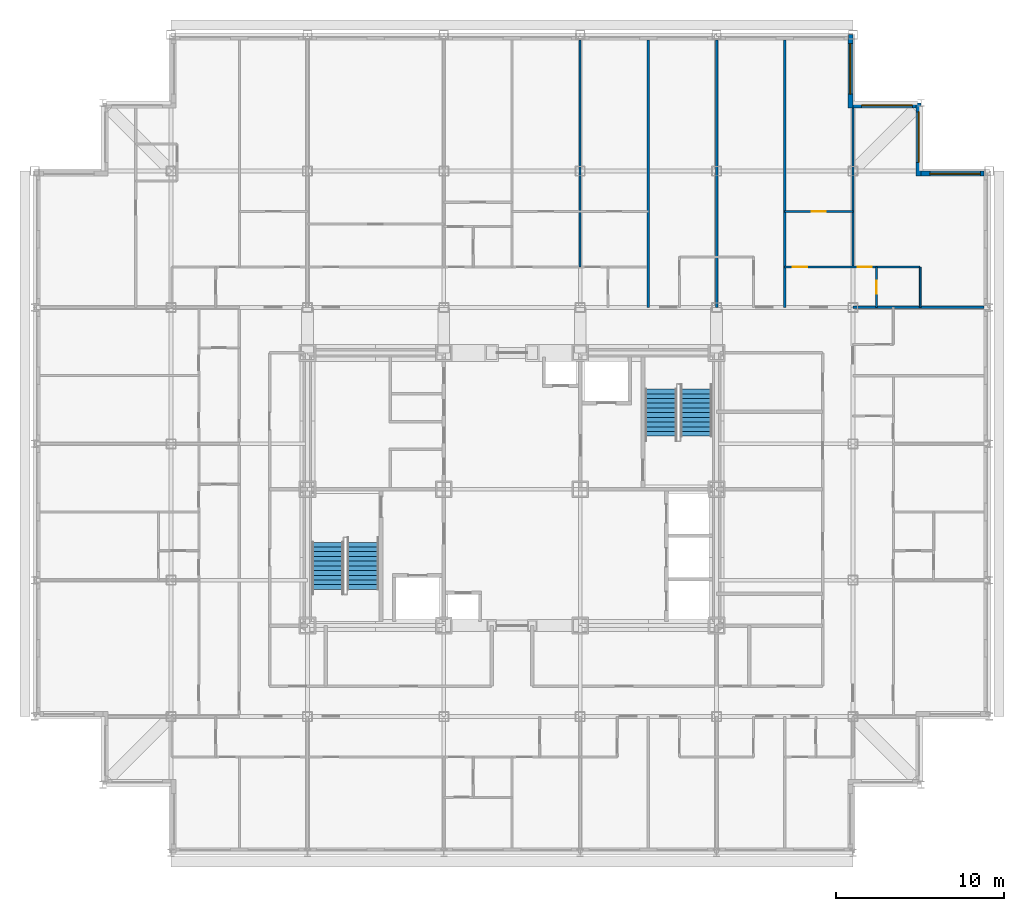
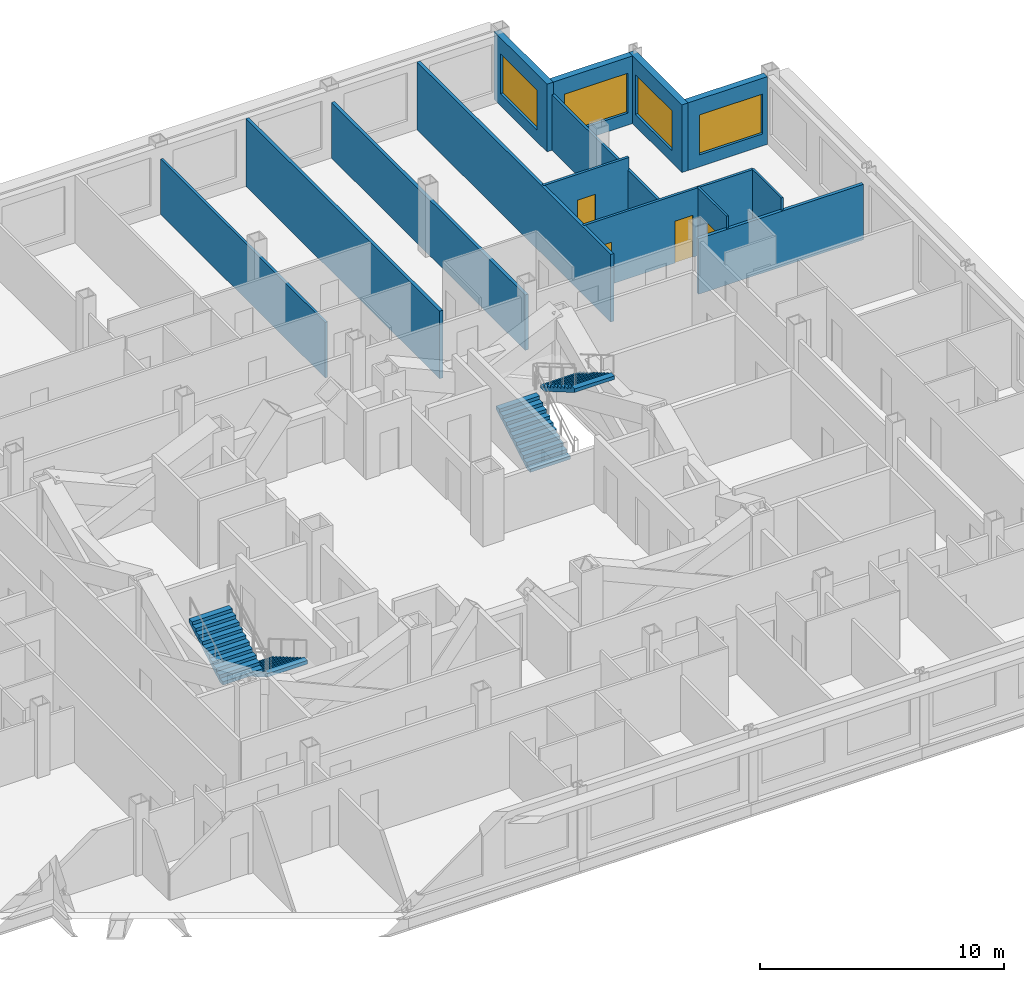
# One storey, part 11 of 12: 14 walls, 4 doors, 4 stair flights, 4 windows, 8 openings, 2 elements without a shape of their own.
"""IFC4 building model written with IfcOpenShell, lengths in metres."""

from ifc_helpers import new_model, si_unit, direction, frame, frame_2d, origin, place, context, subcontext, project, spatial, rectangle, extrude, polygons, source, transform, mapped, material, layer, layer_set, type_object, element, fill, aggregate, save


model = new_model("IFC4")

# Units and contexts
model_context = context("Model", 3, precision=1e-05, world=origin(), true_north=direction((0.0, 1.0)))
body_context = subcontext(model_context, "Body", "Model", "MODEL_VIEW")
ifc_project = project(units=[si_unit("LENGTHUNIT", "METRE"), si_unit("AREAUNIT", "SQUARE_METRE"), si_unit("VOLUMEUNIT", "CUBIC_METRE"), si_unit("PLANEANGLEUNIT", "RADIAN"), si_unit("MASSUNIT", "GRAM", prefix="KILO")], contexts=[model_context])

# Site, building, storey
site_placement = place(None, origin())
site = spatial("IfcSite", under=ifc_project, at=site_placement, CompositionType="ELEMENT")
building_placement = place(site_placement, origin())
building = spatial("IfcBuilding", under=site, at=building_placement, Name="Kopane Lantern Tower", CompositionType="ELEMENT")
storey_placement = place(building_placement, frame((0.0, 0.0, 217.199951171875)))
storey = spatial("IfcBuildingStorey", under=building, at=storey_placement, Name="L56", CompositionType="ELEMENT", Elevation=217.199951171875)

# Wall
ifc_material_1 = material(Name="Gypsum board on steel studs", Category="steel")
ifc_layer_1 = layer(ifc_material_1, 0.1201171875)
ifc_layer_set_1 = layer_set([ifc_layer_1], Name="APARTMENT INTERNAL WALL 120")
wall_type_1 = type_object("IfcWallType", Name="APARTMENT INTERNAL WALL 120", PredefinedType="PARTITIONING", material=ifc_layer_set_1)
wall_1_placement = place(storey_placement, frame((32.39990234375, 45.60009765625, 0.0), z_axis=(0.0, 0.0, 1.0), x_axis=(0.0, 1.0, 0.0)))
element("IfcWall", 1, at=wall_1_placement, inside=storey, type_object=wall_type_1, Name="Apartment Internal Wall 120 L56", PredefinedType="PARTITIONING", context=body_context, shape_type="SweptSolid", body=[
    extrude(rectangle(XDim=13.5, YDim=0.1201171875, at=frame_2d((6.75, 0.0))), origin(), (0.0, 0.0, 1.0), 2.77783203125),
])

# Wall, openings, doors
wall_2_placement = place(storey_placement, frame((44.550048828125, 45.60009765625, 0.0), z_axis=(0.0, 0.0, 1.0), x_axis=(1.0, 0.0, 0.0)))
wall_2 = element("IfcWall", 2, at=wall_2_placement, inside=storey, type_object=wall_type_1, Name="Apartment Internal Wall 120 L56", PredefinedType="PARTITIONING", context=body_context, shape_type="SweptSolid", body=[
    extrude(rectangle(XDim=8.050048828125, YDim=0.1201171875, at=frame_2d((4.02490234375, 0.0))), origin(), (0.0, 0.0, 1.0), 3.39013671875),
])
opening_1_placement = place(wall_2_placement, frame((0.47509765625, 0.0, 0.0)))
opening_1 = element("IfcOpeningElement", 3, at=opening_1_placement, cuts=wall_2, Name="Opening L56-062", PredefinedType="OPENING", context=body_context, shape_type="SweptSolid", body=[
    extrude(rectangle(XDim=0.85009765625, YDim=2.10009765625, at=frame_2d((0.425048828125, 1.050048828125))), frame((0.0, 0.070068359375, 0.0), z_axis=(0.0, -1.0, 0.0), x_axis=(1.0, 0.0, 0.0)), (0.0, 0.0, 1.0), 0.14013671875),
])
opening_2_placement = place(wall_2_placement, frame((4.324951171875, 0.0, 0.0)))
opening_2 = element("IfcOpeningElement", 4, at=opening_2_placement, cuts=wall_2, Name="Opening L56-064", PredefinedType="OPENING", context=body_context, shape_type="SweptSolid", body=[
    extrude(rectangle(XDim=0.85009765625, YDim=2.10009765625, at=frame_2d((0.425048828125, 1.050048828125))), frame((0.0, 0.070068359375, 0.0), z_axis=(0.0, -1.0, 0.0), x_axis=(1.0, 0.0, 0.0)), (0.0, 0.0, 1.0), 0.14013671875),
])
ifc_material_2 = material(Name="Timber door set", Category="wood")
door_type_1 = type_object("IfcDoorType", Name="DOOR D4 850x2100", OperationType="SINGLE_SWING_LEFT", PredefinedType="DOOR", material=ifc_material_2)
door_1_placement = place(opening_1_placement, origin())
door_1 = element("IfcDoor", 5, at=door_1_placement, inside=storey, type_object=door_type_1, Name="Door L56-062", OperationType="SINGLE_SWING_RIGHT", OverallHeight=2.10009765625, OverallWidth=0.85009765625, PredefinedType="DOOR", context=body_context, shape_type="SweptSolid", body=[
    extrude(rectangle(XDim=0.85009765625, YDim=2.10009765625, at=frame_2d((0.425048828125, 1.050048828125))), frame((0.0, 0.02490234375, 0.0), z_axis=(0.0, -1.0, 0.0), x_axis=(1.0, 0.0, 0.0)), (0.0, 0.0, 1.0), 0.050048828125),
])
fill(opening_1, door_1)
door_2_placement = place(opening_2_placement, origin())
door_2 = element("IfcDoor", 6, at=door_2_placement, inside=storey, type_object=door_type_1, Name="Door L56-064", OperationType="SINGLE_SWING_LEFT", OverallHeight=2.10009765625, OverallWidth=0.85009765625, PredefinedType="DOOR", context=body_context, shape_type="SweptSolid", body=[
    extrude(rectangle(XDim=0.85009765625, YDim=2.10009765625, at=frame_2d((0.425048828125, 1.050048828125))), frame((0.0, 0.02490234375, 0.0), z_axis=(0.0, -1.0, 0.0), x_axis=(1.0, 0.0, 0.0)), (0.0, 0.0, 1.0), 0.050048828125),
])
fill(opening_2, door_2)

# Wall
wall_3_placement = place(storey_placement, frame((48.60009765625, 45.60009765625, 0.0), z_axis=(0.0, 0.0, 1.0), x_axis=(0.0, 1.0, 0.0)))
element("IfcWall", 7, at=wall_3_placement, inside=storey, type_object=wall_type_1, Name="Apartment Internal Wall 120 L56", PredefinedType="PARTITIONING", context=body_context, shape_type="SweptSolid", body=[
    extrude(rectangle(XDim=9.449951171875, YDim=0.1201171875, at=frame_2d((4.72509765625, 0.0))), origin(), (0.0, 0.0, 1.0), 2.77783203125),
])

# Wall, opening, door
wall_4_placement = place(storey_placement, frame((44.550048828125, 48.89990234375, 0.0), z_axis=(0.0, 0.0, 1.0), x_axis=(1.0, 0.0, 0.0)))
wall_4 = element("IfcWall", 8, at=wall_4_placement, inside=storey, type_object=wall_type_1, Name="Apartment Internal Wall 120 L56", PredefinedType="PARTITIONING", context=body_context, shape_type="SweptSolid", body=[
    extrude(rectangle(XDim=4.050048828125, YDim=0.1201171875, at=frame_2d((2.02490234375, 0.0))), origin(), (0.0, 0.0, 1.0), 3.39013671875),
])
opening_3_placement = place(wall_4_placement, frame((1.60009765625, 0.0, 0.0)))
opening_3 = element("IfcOpeningElement", 9, at=opening_3_placement, cuts=wall_4, Name="Opening L56-077", PredefinedType="OPENING", context=body_context, shape_type="SweptSolid", body=[
    extrude(rectangle(XDim=0.85009765625, YDim=2.10009765625, at=frame_2d((0.425048828125, 1.050048828125))), frame((0.0, 0.070068359375, 0.0), z_axis=(0.0, -1.0, 0.0), x_axis=(1.0, 0.0, 0.0)), (0.0, 0.0, 1.0), 0.14013671875),
])
door_3_placement = place(opening_3_placement, origin())
door_3 = element("IfcDoor", 10, at=door_3_placement, inside=storey, type_object=door_type_1, Name="Door L56-077", OperationType="SINGLE_SWING_RIGHT", OverallHeight=2.10009765625, OverallWidth=0.85009765625, PredefinedType="DOOR", context=body_context, shape_type="SweptSolid", body=[
    extrude(rectangle(XDim=0.85009765625, YDim=2.10009765625, at=frame_2d((0.425048828125, 1.050048828125))), frame((0.0, 0.02490234375, 0.0), z_axis=(0.0, -1.0, 0.0), x_axis=(1.0, 0.0, 0.0)), (0.0, 0.0, 1.0), 0.050048828125),
])
fill(opening_3, door_3)

ifc_material_3 = material(Name="Moisture-resistant board on steel studs", Category="steel")
ifc_layer_2 = layer(ifc_material_3, 0.10009765625)
ifc_layer_set_2 = layer_set([ifc_layer_2], Name="BATHROOM WALL 100")
wall_type_2 = type_object("IfcWallType", Name="BATHROOM WALL 100", PredefinedType="PARTITIONING", material=ifc_layer_set_2)
wall_5_placement = place(storey_placement, frame((50.0, 43.199951171875, 0.0), z_axis=(0.0, 0.0, 1.0), x_axis=(0.0, 1.0, 0.0)))
wall_5 = element("IfcWall", 11, at=wall_5_placement, inside=storey, type_object=wall_type_2, Name="Bathroom Wall 100 L56", PredefinedType="PARTITIONING", context=body_context, shape_type="SweptSolid", body=[
    extrude(rectangle(XDim=2.400146484375, YDim=0.10009765625, at=frame_2d((1.2001953125, 0.0))), origin(), (0.0, 0.0, 1.0), 3.39013671875),
])
opening_4_placement = place(wall_5_placement, frame((0.800048828125, 0.0, 0.0)))
opening_4 = element("IfcOpeningElement", 12, at=opening_4_placement, cuts=wall_5, Name="Opening L56-063", PredefinedType="OPENING", context=body_context, shape_type="SweptSolid", body=[
    extrude(rectangle(XDim=0.800048828125, YDim=2.10009765625, at=frame_2d((0.39990234375, 1.050048828125))), frame((0.0, 0.06005859375, 0.0), z_axis=(0.0, -1.0, 0.0), x_axis=(1.0, 0.0, 0.0)), (0.0, 0.0, 1.0), 0.1201171875),
])
ifc_material_4 = material(Name="Timber door set", Category="wood")
door_type_2 = type_object("IfcDoorType", Name="DOOR D2 800x2100", OperationType="SINGLE_SWING_LEFT", PredefinedType="DOOR", material=ifc_material_4)
door_4_placement = place(opening_4_placement, origin())
door_4 = element("IfcDoor", 13, at=door_4_placement, inside=storey, type_object=door_type_2, Name="Door L56-063", OperationType="SINGLE_SWING_RIGHT", OverallHeight=2.10009765625, OverallWidth=0.800048828125, PredefinedType="DOOR", context=body_context, shape_type="SweptSolid", body=[
    extrude(rectangle(XDim=0.800048828125, YDim=2.10009765625, at=frame_2d((0.39990234375, 1.050048828125))), frame((0.0, 0.02490234375, 0.0), z_axis=(0.0, -1.0, 0.0), x_axis=(1.0, 0.0, 0.0)), (0.0, 0.0, 1.0), 0.050048828125),
])
fill(opening_4, door_4)

# Walls
wall_6_placement = place(storey_placement, frame((52.60009765625, 43.199951171875, 0.0), z_axis=(0.0, 0.0, 1.0), x_axis=(0.0, 1.0, 0.0)))
element("IfcWall", 14, at=wall_6_placement, inside=storey, type_object=wall_type_2, Name="Bathroom Wall 100 L56", PredefinedType="PARTITIONING", context=body_context, shape_type="SweptSolid", body=[
    extrude(rectangle(XDim=2.400146484375, YDim=0.10009765625, at=frame_2d((1.2001953125, 0.0))), origin(), (0.0, 0.0, 1.0), 3.39013671875),
])
ifc_material_5 = material(Name="Gypsum board on steel studs", Category="steel")
ifc_layer_3 = layer(ifc_material_5, 0.14990234375)
ifc_layer_set_3 = layer_set([ifc_layer_3], Name="DEMISING WALL 150 EI 60")
wall_type_3 = type_object("IfcWallType", Name="DEMISING WALL 150 EI 60", PredefinedType="PARTITIONING", material=ifc_layer_set_3)
wall_7_placement = place(storey_placement, frame((36.449951171875, 43.199951171875, 0.0), z_axis=(0.0, 0.0, 1.0), x_axis=(0.0, 1.0, 0.0)))
element("IfcWall", 15, at=wall_7_placement, inside=storey, type_object=wall_type_3, Name="Demising Wall 150 Ei 60 L56", PredefinedType="PARTITIONING", context=body_context, shape_type="SweptSolid", body=[
    extrude(rectangle(XDim=15.900146484375, YDim=0.14990234375, at=frame_2d((7.9501953125, 0.0))), origin(), (0.0, 0.0, 1.0), 3.39013671875),
])
wall_8_placement = place(storey_placement, frame((40.5, 43.199951171875, 0.0), z_axis=(0.0, 0.0, 1.0), x_axis=(0.0, 1.0, 0.0)))
element("IfcWall", 16, at=wall_8_placement, inside=storey, type_object=wall_type_3, Name="Demising Wall 150 Ei 60 L56", PredefinedType="PARTITIONING", context=body_context, shape_type="SweptSolid", body=[
    extrude(rectangle(XDim=15.900146484375, YDim=0.14990234375, at=frame_2d((7.9501953125, 0.0))), origin(), (0.0, 0.0, 1.0), 2.77783203125),
])
wall_9_placement = place(storey_placement, frame((48.60009765625, 43.199951171875, 0.0), z_axis=(0.0, 0.0, 1.0), x_axis=(1.0, 0.0, 0.0)))
element("IfcWall", 17, at=wall_9_placement, inside=storey, type_object=wall_type_3, Name="Demising Wall 150 Ei 60 L56", PredefinedType="PARTITIONING", context=body_context, shape_type="SweptSolid", body=[
    extrude(rectangle(XDim=7.7998046875, YDim=0.14990234375, at=frame_2d((3.89990234375, 0.0))), origin(), (0.0, 0.0, 1.0), 2.77783203125),
])
wall_10_placement = place(storey_placement, frame((44.550048828125, 43.199951171875, 0.0), z_axis=(0.0, 0.0, 1.0), x_axis=(0.0, 1.0, 0.0)))
element("IfcWall", 18, at=wall_10_placement, inside=storey, type_object=wall_type_3, Name="Demising Wall 150 Ei 60 L56", PredefinedType="PARTITIONING", context=body_context, shape_type="SweptSolid", body=[
    extrude(rectangle(XDim=15.900146484375, YDim=0.14990234375, at=frame_2d((7.9501953125, 0.0))), origin(), (0.0, 0.0, 1.0), 3.39013671875),
])

# Wall, opening, window
ifc_material_6 = material(Name="Terracotta rainscreen on light steel framing", Category="masonry")
ifc_layer_4 = layer(ifc_material_6, 0.300048828125)
ifc_layer_set_4 = layer_set([ifc_layer_4], Name="EXTERNAL WALL EW1 300 TERRACOTTA")
wall_type_4 = type_object("IfcWallType", Name="EXTERNAL WALL EW1 300 TERRACOTTA", PredefinedType="SOLIDWALL", material=ifc_layer_set_4)
wall_11_placement = place(storey_placement, frame((56.39990234375, 51.14990234375, 0.0), z_axis=(0.0, 0.0, 1.0), x_axis=(-1.0, 0.0, 0.0)))
wall_11 = element("IfcWall", 19, at=wall_11_placement, inside=storey, type_object=wall_type_4, Name="External wall N L56", PredefinedType="SOLIDWALL", context=body_context, shape_type="SweptSolid", body=[
    extrude(rectangle(XDim=3.75, YDim=0.300048828125, at=frame_2d((1.875, 0.0))), origin(), (0.0, 0.0, 1.0), 3.39013671875),
])
opening_5_placement = place(wall_11_placement, frame((0.22509765625, 0.0, 0.60009765625)))
opening_5 = element("IfcOpeningElement", 20, at=opening_5_placement, cuts=wall_11, Name="Opening WR300200", PredefinedType="OPENING", context=body_context, shape_type="SweptSolid", body=[
    extrude(rectangle(XDim=3.0, YDim=2.0, at=frame_2d((1.5, 1.0))), frame((0.0, 0.159912109375, 0.0), z_axis=(0.0, -1.0, 0.0), x_axis=(1.0, 0.0, 0.0)), (0.0, 0.0, 1.0), 0.320068359375),
])
ifc_material_7 = material(Name="Aluminium and clear glass", Category="aluminium")
window_type = type_object("IfcWindowType", Name="RIBBON WINDOW WR300200 3000x2000", PartitioningType="SINGLE_PANEL", PredefinedType="WINDOW", material=ifc_material_7)
window_1_placement = place(opening_5_placement, origin())
window_1 = element("IfcWindow", 21, at=window_1_placement, inside=storey, type_object=window_type, Name="Window N L56", OverallHeight=2.0, OverallWidth=3.0, PartitioningType="SINGLE_PANEL", PredefinedType="WINDOW", context=body_context, shape_type="SweptSolid", body=[
    extrude(rectangle(XDim=3.0, YDim=2.0, at=frame_2d((1.5, 1.0))), frame((0.0, 0.030029296875, 0.0), z_axis=(0.0, -1.0, 0.0), x_axis=(1.0, 0.0, 0.0)), (0.0, 0.0, 1.0), 0.06005859375),
])
fill(opening_5, window_1)

wall_12_placement = place(storey_placement, frame((52.5, 51.0, 0.0), z_axis=(0.0, 0.0, 1.0), x_axis=(0.0, 1.0, 0.0)))
wall_12 = element("IfcWall", 22, at=wall_12_placement, inside=storey, type_object=wall_type_4, Name="External wall E L56", PredefinedType="SOLIDWALL", context=body_context, shape_type="SweptSolid", body=[
    extrude(rectangle(XDim=4.35009765625, YDim=0.300048828125, at=frame_2d((2.175048828125, 0.0))), origin(), (0.0, 0.0, 1.0), 3.39013671875),
])
opening_6_placement = place(wall_12_placement, frame((0.824951171875, 0.0, 0.60009765625)))
opening_6 = element("IfcOpeningElement", 23, at=opening_6_placement, cuts=wall_12, Name="Opening WR300200", PredefinedType="OPENING", context=body_context, shape_type="SweptSolid", body=[
    extrude(rectangle(XDim=3.0, YDim=2.0, at=frame_2d((1.5, 1.0))), frame((0.0, 0.159912109375, 0.0), z_axis=(0.0, -1.0, 0.0), x_axis=(1.0, 0.0, 0.0)), (0.0, 0.0, 1.0), 0.320068359375),
])
window_2_placement = place(opening_6_placement, origin())
window_2 = element("IfcWindow", 24, at=window_2_placement, inside=storey, type_object=window_type, Name="Window E L56", OverallHeight=2.0, OverallWidth=3.0, PartitioningType="SINGLE_PANEL", PredefinedType="WINDOW", context=body_context, shape_type="SweptSolid", body=[
    extrude(rectangle(XDim=3.0, YDim=2.0, at=frame_2d((1.5, 1.0))), frame((0.0, 0.030029296875, 0.0), z_axis=(0.0, -1.0, 0.0), x_axis=(1.0, 0.0, 0.0)), (0.0, 0.0, 1.0), 0.06005859375),
])
fill(opening_6, window_2)

wall_13_placement = place(storey_placement, frame((52.35009765625, 55.199951171875, 0.0), z_axis=(0.0, 0.0, 1.0), x_axis=(-1.0, 0.0, 0.0)))
wall_13 = element("IfcWall", 25, at=wall_13_placement, inside=storey, type_object=wall_type_4, Name="External wall N L56", PredefinedType="SOLIDWALL", context=body_context, shape_type="SweptSolid", body=[
    extrude(rectangle(XDim=3.75, YDim=0.300048828125, at=frame_2d((1.875, 0.0))), origin(), (0.0, 0.0, 1.0), 3.39013671875),
])
opening_7_placement = place(wall_13_placement, frame((0.22509765625, 0.0, 0.60009765625)))
opening_7 = element("IfcOpeningElement", 26, at=opening_7_placement, cuts=wall_13, Name="Opening WR300200", PredefinedType="OPENING", context=body_context, shape_type="SweptSolid", body=[
    extrude(rectangle(XDim=3.0, YDim=2.0, at=frame_2d((1.5, 1.0))), frame((0.0, 0.159912109375, 0.0), z_axis=(0.0, -1.0, 0.0), x_axis=(1.0, 0.0, 0.0)), (0.0, 0.0, 1.0), 0.320068359375),
])
window_3_placement = place(opening_7_placement, origin())
window_3 = element("IfcWindow", 27, at=window_3_placement, inside=storey, type_object=window_type, Name="Window N L56", OverallHeight=2.0, OverallWidth=3.0, PartitioningType="SINGLE_PANEL", PredefinedType="WINDOW", context=body_context, shape_type="SweptSolid", body=[
    extrude(rectangle(XDim=3.0, YDim=2.0, at=frame_2d((1.5, 1.0))), frame((0.0, 0.030029296875, 0.0), z_axis=(0.0, -1.0, 0.0), x_axis=(1.0, 0.0, 0.0)), (0.0, 0.0, 1.0), 0.06005859375),
])
fill(opening_7, window_3)

wall_14_placement = place(storey_placement, frame((48.449951171875, 55.050048828125, 0.0), z_axis=(0.0, 0.0, 1.0), x_axis=(0.0, 1.0, 0.0)))
wall_14 = element("IfcWall", 28, at=wall_14_placement, inside=storey, type_object=wall_type_4, Name="External wall E L56", PredefinedType="SOLIDWALL", context=body_context, shape_type="SweptSolid", body=[
    extrude(rectangle(XDim=4.349853515625, YDim=0.300048828125, at=frame_2d((2.1748046875, 0.0))), origin(), (0.0, 0.0, 1.0), 3.39013671875),
])
opening_8_placement = place(wall_14_placement, frame((0.824951171875, 0.0, 0.60009765625)))
opening_8 = element("IfcOpeningElement", 29, at=opening_8_placement, cuts=wall_14, Name="Opening WR300200", PredefinedType="OPENING", context=body_context, shape_type="SweptSolid", body=[
    extrude(rectangle(XDim=3.0, YDim=2.0, at=frame_2d((1.5, 1.0))), frame((0.0, 0.159912109375, 0.0), z_axis=(0.0, -1.0, 0.0), x_axis=(1.0, 0.0, 0.0)), (0.0, 0.0, 1.0), 0.320068359375),
])
window_4_placement = place(opening_8_placement, origin())
window_4 = element("IfcWindow", 30, at=window_4_placement, inside=storey, type_object=window_type, Name="Window E L56", OverallHeight=2.0, OverallWidth=3.0, PartitioningType="SINGLE_PANEL", PredefinedType="WINDOW", context=body_context, shape_type="SweptSolid", body=[
    extrude(rectangle(XDim=3.0, YDim=2.0, at=frame_2d((1.5, 1.0))), frame((0.0, 0.030029296875, 0.0), z_axis=(0.0, -1.0, 0.0), x_axis=(1.0, 0.0, 0.0)), (0.0, 0.0, 1.0), 0.06005859375),
])
fill(opening_8, window_4)

# Stair, stair flights
ifc_material_8 = material(Name="Steel S355JR", Category="steel")
stair_type = type_object("IfcStairType", Name="EXIT STAIR 1900 HALF TURN", PredefinedType="HALF_TURN_STAIR", material=ifc_material_8)
stair_1_placement = place(storey_placement, origin())
stair_1 = element("IfcStair", 31, at=stair_1_placement, inside=storey, type_object=stair_type, Name="Exit stair ST1 L56", PredefinedType="HALF_TURN_STAIR")
ifc_material_9 = material(Name="Steel S355JR", Category="steel")
stair_flight_type = type_object("IfcStairFlightType", Name="STAIR FLIGHT 1900 STEEL", PredefinedType="STRAIGHT", material=ifc_material_9)
shared_shape = source(origin(), body_context, "Body", "Tessellation", [
    polygons([(2.800048828, 0.949951172, 1.636474609), (2.520019531, 0.949951172, 1.636474609), (2.520019531, -0.949951172, 1.636474609), (2.800048828, -0.949951172, 1.636474609), (0.297119141, 0.949951172, 0.0), (2.800048828, 0.949951172, 1.462646484), (2.800048828, -0.949951172, 1.462646484), (0.297119141, -0.949951172, 0.0), (0.0, 0.949951172, 0.0), (0.0, -0.949951172, 0.0), (0.280029297, 0.949951172, 0.163574219), (0.0, 0.949951172, 0.163574219), (0.0, -0.949951172, 0.163574219), (0.280029297, -0.949951172, 0.163574219), (0.280029297, 0.949951172, 0.327392578), (0.280029297, -0.949951172, 0.327392578), (0.560058594, 0.949951172, 0.327392578), (0.560058594, -0.949951172, 0.327392578), (0.560058594, 0.949951172, 0.490966797), (0.560058594, -0.949951172, 0.490966797), (0.840087891, 0.949951172, 0.490966797), (0.840087891, -0.949951172, 0.490966797), (0.840087891, 0.949951172, 0.654541016), (0.840087891, -0.949951172, 0.654541016), (1.120117188, 0.949951172, 0.654541016), (1.120117188, -0.949951172, 0.654541016), (1.120117188, 0.949951172, 0.818115234), (1.120117188, -0.949951172, 0.818115234), (1.399902344, 0.949951172, 0.818115234), (1.399902344, -0.949951172, 0.818115234), (1.399902344, 0.949951172, 0.981933594), (1.399902344, -0.949951172, 0.981933594), (1.679931641, 0.949951172, 0.981933594), (1.679931641, -0.949951172, 0.981933594), (1.679931641, 0.949951172, 1.145507812), (1.679931641, -0.949951172, 1.145507812), (1.959960938, 0.949951172, 1.145507812), (1.959960938, -0.949951172, 1.145507812), (1.959960938, 0.949951172, 1.309082031), (1.959960938, -0.949951172, 1.309082031), (2.239990234, 0.949951172, 1.309082031), (2.239990234, -0.949951172, 1.309082031), (2.239990234, 0.949951172, 1.47265625), (2.239990234, -0.949951172, 1.47265625), (2.520019531, 0.949951172, 1.47265625), (2.520019531, -0.949951172, 1.47265625), (0.0, 0.0, 0.004420925), (0.0, 0.0, 0.00884185), (0.0, 0.0, 0.013262774), (0.0, 0.0, 0.017683699), (0.0, 0.0, 0.022104624), (0.0, 0.0, 0.026525549), (0.0, 0.0, 0.030946474), (0.0, 0.0, 0.035367399), (0.0, 0.0, 0.039788323), (0.0, 0.0, 0.044209248), (0.0, 0.0, 0.048630173), (0.0, 0.0, 0.053051098), (0.0, 0.0, 0.057472023), (0.0, 0.0, 0.061892948), (0.0, 0.0, 0.066313872), (0.0, 0.0, 0.070734797), (0.0, 0.0, 0.075155722), (0.0, 0.0, 0.079576647), (0.0, 0.0, 0.083997572), (0.0, 0.0, 0.088418497), (0.0, 0.0, 0.092839421), (0.0, 0.0, 0.097260346), (0.0, 0.0, 0.101681271), (0.0, 0.0, 0.106102196), (0.0, 0.0, 0.110523121), (0.0, 0.0, 0.114944046), (0.0, 0.0, 0.11936497), (0.0, 0.0, 0.123785895), (0.0, 0.0, 0.12820682), (0.0, 0.0, 0.132627745), (0.0, 0.0, 0.13704867), (0.0, 0.0, 0.141469595), (0.0, 0.0, 0.145890519), (0.0, 0.0, 0.150311444), (0.0, 0.0, 0.154732369), (0.0, 0.0, 0.159153294), (2.800048828, 0.0, 1.467344542), (2.800048828, 0.0, 1.472042599), (2.800048828, 0.0, 1.476740657), (2.800048828, 0.0, 1.481438714), (2.800048828, 0.0, 1.486136772), (2.800048828, 0.0, 1.490834829), (2.800048828, 0.0, 1.495532886), (2.800048828, 0.0, 1.500230944), (2.800048828, 0.0, 1.504929001), (2.800048828, 0.0, 1.509627059), (2.800048828, 0.0, 1.514325116), (2.800048828, 0.0, 1.519023174), (2.800048828, 0.0, 1.523721231), (2.800048828, 0.0, 1.528419288), (2.800048828, 0.0, 1.533117346), (2.800048828, 0.0, 1.537815403), (2.800048828, 0.0, 1.542513461), (2.800048828, 0.0, 1.547211518), (2.800048828, 0.0, 1.551909576), (2.800048828, 0.0, 1.556607633), (2.800048828, 0.0, 1.56130569), (2.800048828, 0.0, 1.566003748), (2.800048828, 0.0, 1.570701805), (2.800048828, 0.0, 1.575399863), (2.800048828, 0.0, 1.58009792), (2.800048828, 0.0, 1.584795978), (2.800048828, 0.0, 1.589494035), (2.800048828, 0.0, 1.594192092), (2.800048828, 0.0, 1.59889015), (2.800048828, 0.0, 1.603588207), (2.800048828, 0.0, 1.608286265), (2.800048828, 0.0, 1.612984322), (2.800048828, 0.0, 1.61768238), (2.800048828, 0.0, 1.622380437), (2.800048828, 0.0, 1.627078495), (2.800048828, 0.0, 1.631776552)], [[[1, 2, 3]], [[1, 3, 4]], [[5, 6, 7]], [[5, 7, 8]], [[9, 5, 8]], [[9, 8, 10]], [[11, 12, 13]], [[11, 13, 14]], [[15, 11, 14]], [[15, 14, 16]], [[17, 15, 16]], [[17, 16, 18]], [[19, 17, 18]], [[19, 18, 20]], [[21, 19, 20]], [[21, 20, 22]], [[23, 21, 22]], [[23, 22, 24]], [[25, 23, 24]], [[25, 24, 26]], [[27, 25, 26]], [[27, 26, 28]], [[29, 27, 28]], [[29, 28, 30]], [[31, 29, 30]], [[31, 30, 32]], [[33, 31, 32]], [[33, 32, 34]], [[35, 33, 34]], [[35, 34, 36]], [[37, 35, 36]], [[37, 36, 38]], [[39, 37, 38]], [[39, 38, 40]], [[41, 39, 40]], [[41, 40, 42]], [[43, 41, 42]], [[43, 42, 44]], [[45, 43, 44]], [[45, 44, 46]], [[2, 45, 46]], [[2, 46, 3]], [[45, 1, 6]], [[41, 45, 6]], [[2, 1, 45]], [[37, 41, 6]], [[43, 45, 41]], [[39, 41, 37]], [[35, 37, 33]], [[31, 33, 29]], [[27, 29, 25]], [[5, 21, 25]], [[17, 21, 5]], [[23, 25, 21]], [[11, 17, 5]], [[19, 21, 17]], [[9, 11, 5]], [[15, 17, 11]], [[12, 11, 9]], [[6, 5, 25]], [[6, 25, 29]], [[6, 29, 33]], [[6, 33, 37]], [[7, 4, 46]], [[7, 46, 42]], [[46, 4, 3]], [[7, 42, 38]], [[42, 46, 44]], [[38, 42, 40]], [[34, 38, 36]], [[30, 34, 32]], [[26, 30, 28]], [[26, 22, 8]], [[8, 22, 18]], [[22, 26, 24]], [[8, 18, 14]], [[18, 22, 20]], [[8, 14, 10]], [[14, 18, 16]], [[10, 14, 13]], [[26, 8, 7]], [[30, 26, 7]], [[34, 30, 7]], [[38, 34, 7]], [[10, 47, 9]], [[10, 48, 47]], [[9, 47, 48]], [[10, 49, 48]], [[9, 48, 49]], [[10, 50, 49]], [[9, 49, 50]], [[10, 51, 50]], [[9, 50, 51]], [[10, 52, 51]], [[9, 51, 52]], [[10, 53, 52]], [[9, 52, 53]], [[10, 54, 53]], [[9, 53, 54]], [[10, 55, 54]], [[9, 54, 55]], [[10, 56, 55]], [[9, 55, 56]], [[10, 57, 56]], [[9, 56, 57]], [[10, 58, 57]], [[9, 57, 58]], [[10, 59, 58]], [[9, 58, 59]], [[10, 60, 59]], [[9, 59, 60]], [[10, 61, 60]], [[9, 60, 61]], [[10, 62, 61]], [[9, 61, 62]], [[10, 63, 62]], [[9, 62, 63]], [[10, 64, 63]], [[9, 63, 64]], [[10, 65, 64]], [[9, 64, 65]], [[10, 66, 65]], [[9, 65, 66]], [[10, 67, 66]], [[9, 66, 67]], [[10, 68, 67]], [[9, 67, 68]], [[10, 69, 68]], [[9, 68, 69]], [[10, 70, 69]], [[9, 69, 70]], [[10, 71, 70]], [[9, 70, 71]], [[10, 72, 71]], [[9, 71, 72]], [[10, 73, 72]], [[9, 72, 73]], [[10, 74, 73]], [[9, 73, 74]], [[10, 75, 74]], [[9, 74, 75]], [[10, 76, 75]], [[9, 75, 76]], [[10, 77, 76]], [[9, 76, 77]], [[10, 78, 77]], [[9, 77, 78]], [[10, 79, 78]], [[9, 78, 79]], [[10, 80, 79]], [[9, 79, 80]], [[10, 81, 80]], [[9, 80, 81]], [[10, 82, 81]], [[9, 81, 82]], [[10, 13, 82]], [[82, 13, 12]], [[9, 82, 12]], [[7, 6, 83]], [[7, 83, 84]], [[6, 84, 83]], [[7, 84, 85]], [[6, 85, 84]], [[7, 85, 86]], [[6, 86, 85]], [[7, 86, 87]], [[6, 87, 86]], [[7, 87, 88]], [[6, 88, 87]], [[7, 88, 89]], [[6, 89, 88]], [[7, 89, 90]], [[6, 90, 89]], [[7, 90, 91]], [[6, 91, 90]], [[7, 91, 92]], [[6, 92, 91]], [[7, 92, 93]], [[6, 93, 92]], [[7, 93, 94]], [[6, 94, 93]], [[7, 94, 95]], [[6, 95, 94]], [[7, 95, 96]], [[6, 96, 95]], [[7, 96, 97]], [[6, 97, 96]], [[7, 97, 98]], [[6, 98, 97]], [[7, 98, 99]], [[6, 99, 98]], [[7, 99, 100]], [[6, 100, 99]], [[7, 100, 101]], [[6, 101, 100]], [[7, 101, 102]], [[6, 102, 101]], [[7, 102, 103]], [[6, 103, 102]], [[7, 103, 104]], [[6, 104, 103]], [[7, 104, 105]], [[6, 105, 104]], [[7, 105, 106]], [[6, 106, 105]], [[7, 106, 107]], [[6, 107, 106]], [[7, 107, 108]], [[6, 108, 107]], [[7, 108, 109]], [[6, 109, 108]], [[7, 109, 110]], [[6, 110, 109]], [[7, 110, 111]], [[6, 111, 110]], [[7, 111, 112]], [[6, 112, 111]], [[7, 112, 113]], [[6, 113, 112]], [[7, 113, 114]], [[6, 114, 113]], [[7, 114, 115]], [[6, 115, 114]], [[7, 115, 116]], [[6, 116, 115]], [[7, 116, 117]], [[6, 117, 116]], [[7, 117, 118]], [[6, 118, 117]], [[7, 118, 4]], [[118, 1, 4]], [[6, 1, 118]]], closed=True),
])
stair_flight_1_placement = place(storey_placement, frame((19.5, 29.25, 0.0), z_axis=(0.0, 0.0, 1.0), x_axis=(0.0, -1.0, 0.0)))
stair_flight_1 = element("IfcStairFlight", 32, at=stair_flight_1_placement, type_object=stair_flight_type, Name="ST1 flight 1", NumberOfRisers=11, NumberOfTreads=10, PredefinedType="STRAIGHT", RiserHeight=0.163636364, TreadLength=0.28, context=body_context, shape_type="MappedRepresentation", body=[
    mapped(shared_shape, transform((0.0, 0.0, 0.0))),
])
stair_flight_2_placement = place(storey_placement, frame((17.39990234375, 26.449951171875, 1.800048828125), z_axis=(0.0, 0.0, 1.0), x_axis=(0.0, 1.0, 0.0)))
stair_flight_2 = element("IfcStairFlight", 33, at=stair_flight_2_placement, type_object=stair_flight_type, Name="ST1 flight 2", NumberOfRisers=11, NumberOfTreads=10, PredefinedType="STRAIGHT", RiserHeight=0.163636364, TreadLength=0.28, context=body_context, shape_type="MappedRepresentation", body=[
    mapped(shared_shape, transform((0.0, 0.0, 0.0))),
])
aggregate(stair_1, [stair_flight_1, stair_flight_2])

stair_2_placement = place(storey_placement, origin())
stair_2 = element("IfcStair", 34, at=stair_2_placement, inside=storey, type_object=stair_type, Name="Exit stair ST2 L56", PredefinedType="HALF_TURN_STAIR")
stair_flight_3_placement = place(storey_placement, frame((37.199951171875, 35.550048828125, 0.0), z_axis=(0.0, 0.0, 1.0), x_axis=(0.0, 1.0, 0.0)))
stair_flight_3 = element("IfcStairFlight", 35, at=stair_flight_3_placement, type_object=stair_flight_type, Name="ST2 flight 1", NumberOfRisers=11, NumberOfTreads=10, PredefinedType="STRAIGHT", RiserHeight=0.163636364, TreadLength=0.28, context=body_context, shape_type="MappedRepresentation", body=[
    mapped(shared_shape, transform((0.0, 0.0, 0.0))),
])
stair_flight_4_placement = place(storey_placement, frame((39.300048828125, 38.35009765625, 1.800048828125), z_axis=(0.0, 0.0, 1.0), x_axis=(0.0, -1.0, 0.0)))
stair_flight_4 = element("IfcStairFlight", 36, at=stair_flight_4_placement, type_object=stair_flight_type, Name="ST2 flight 2", NumberOfRisers=11, NumberOfTreads=10, PredefinedType="STRAIGHT", RiserHeight=0.163636364, TreadLength=0.28, context=body_context, shape_type="MappedRepresentation", body=[
    mapped(shared_shape, transform((0.0, 0.0, 0.0))),
])
aggregate(stair_2, [stair_flight_3, stair_flight_4])

save(model, "model.ifc")
